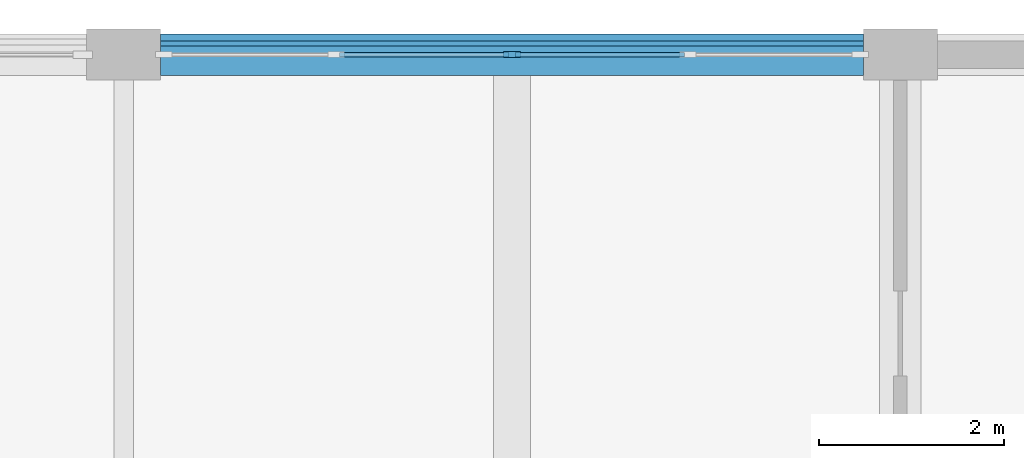
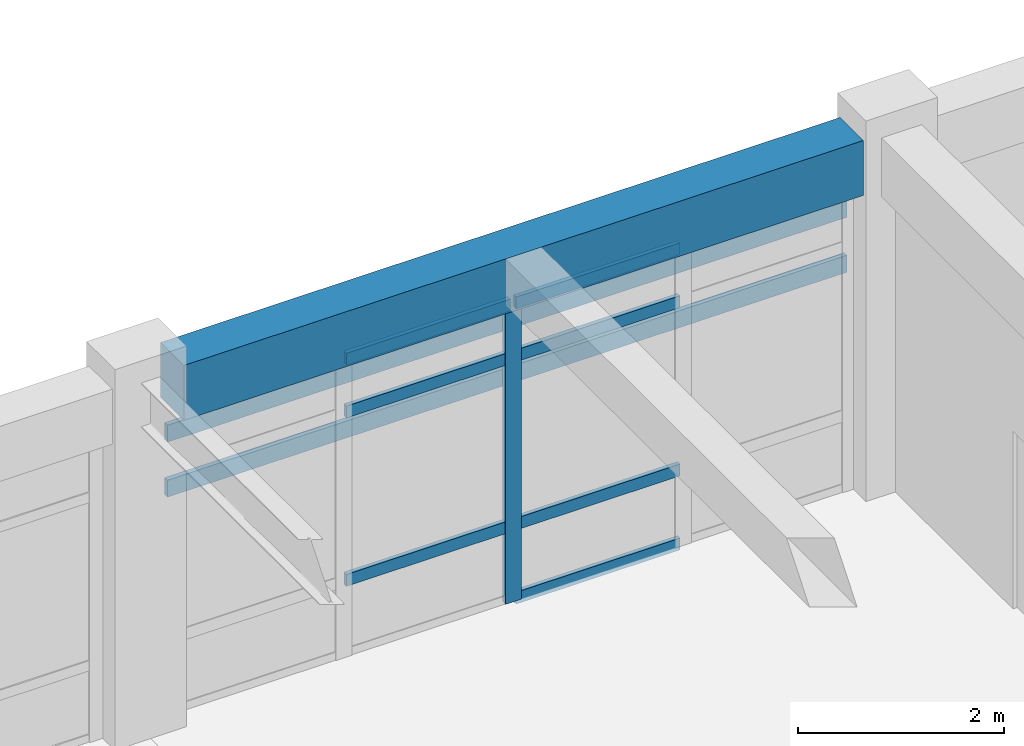
# One storey, part 19 of 78: 10 members, 1 beam, 1 element without a shape of its own.
"""IFC4 building model written with IfcOpenShell, lengths in metres."""

from ifc_helpers import new_model, si_unit, direction, frame, origin, origin_2d, place, context, subcontext, project, spatial, rectangle, extrude, material, layer, layer_set, material_profile, profile_set, type_object, element, aggregate, save


model = new_model("IFC4")

# Units and contexts
model_context = context("Model", 3, precision=1e-05, world=origin(), true_north=direction((0.0, 1.0)))
body_context = subcontext(model_context, "Body", "Model", "MODEL_VIEW")
ifc_project = project(units=[si_unit("LENGTHUNIT", "METRE"), si_unit("AREAUNIT", "SQUARE_METRE"), si_unit("VOLUMEUNIT", "CUBIC_METRE"), si_unit("PLANEANGLEUNIT", "RADIAN"), si_unit("MASSUNIT", "GRAM", prefix="KILO")], contexts=[model_context])

# Site, building, storey
site_placement = place(None, origin())
site = spatial("IfcSite", under=ifc_project, at=site_placement, CompositionType="ELEMENT")
building_placement = place(site_placement, origin())
building = spatial("IfcBuilding", under=site, at=building_placement, Name="Porcellanite Civic Hall", CompositionType="ELEMENT")
storey_placement = place(building_placement, frame((0.0, 0.0, 10.260009765625)))
storey = spatial("IfcBuildingStorey", under=building, at=storey_placement, Name="L02", CompositionType="ELEMENT", Elevation=10.260009765625)

# Beam
ifc_material_1 = material(Name="Concrete N50 (50 MPa)", Category="concrete")
ifc_material_profile_1 = material_profile(ifc_material_1, rectangle(XDim=0.449951171875, YDim=0.64990234375, at=origin_2d()), Name="RC-450x650")
ifc_profile_set_1 = profile_set([ifc_material_profile_1], Name="Concrete N50 (50 MPa)")
beam_type = type_object("IfcBeamType", Name="BM-RC650", PredefinedType="SPANDREL", material=ifc_profile_set_1)
beam_placement = place(storey_placement, frame((59.199462890625, 117.60009765625, 3.9150390625), z_axis=(1.0, 0.0, 0.0), x_axis=(0.0, 1.0, 0.0)))
element("IfcBeam", 1, at=beam_placement, inside=storey, type_object=beam_type, Name="Beam X L02 8-15", PredefinedType="SPANDREL", context=body_context, shape_type="SweptSolid", body=[
    extrude(rectangle(XDim=0.449951171875, YDim=0.64990234375, at=origin_2d()), origin(), (0.0, 0.0, 1.0), 7.60107421875),
])

# Curtain wall, members
ifc_material_2 = material(Name="Anodised aluminium and solar laminated glass", Category="aluminium")
ifc_layer = layer(ifc_material_2, 0.179931640625)
ifc_layer_set = layer_set([ifc_layer], Name="Anodised aluminium and solar laminated glass")
curtain_wall_type = type_object("IfcCurtainWallType", Name="CW-SYS06", PredefinedType="NOTDEFINED", material=ifc_layer_set)
curtain_wall_placement = place(storey_placement, origin())
curtain_wall = element("IfcCurtainWall", 2, at=curtain_wall_placement, inside=storey, type_object=curtain_wall_type, Name="Curtain wall CW-152", PredefinedType="NOTDEFINED")
ifc_material_3 = material(Name="Anodised aluminium 6063-T6", Category="aluminium")
ifc_material_profile_2 = material_profile(ifc_material_3, rectangle(XDim=0.06494140625, YDim=0.179931640625, at=origin_2d()), Name="AL-65x180")
ifc_profile_set_2 = profile_set([ifc_material_profile_2], Name="Anodised aluminium 6063-T6")
member_type_1 = type_object("IfcMemberType", Name="CWM-06", PredefinedType="MULLION", material=ifc_profile_set_2)
member_1_placement = place(storey_placement, frame((63.0, 117.60009765625, 0.0), z_axis=(0.0, 0.0, 1.0), x_axis=(0.0, 1.0, 0.0)))
member_1 = element("IfcMember", 3, at=member_1_placement, type_object=member_type_1, Name="CW-152 mullion 3", PredefinedType="MULLION", context=body_context, shape_type="SweptSolid", body=[
    extrude(rectangle(XDim=0.06494140625, YDim=0.179931640625, at=origin_2d()), origin(), (0.0, 0.0, 1.0), 3.5400390625),
])
ifc_material_4 = material(Name="Anodised aluminium 6063-T6", Category="aluminium")
ifc_material_profile_3 = material_profile(ifc_material_4, rectangle(XDim=0.050048828125, YDim=0.139892578125, at=origin_2d()), Name="AL-50x140")
ifc_profile_set_3 = profile_set([ifc_material_profile_3], Name="Anodised aluminium 6063-T6")
member_type_2 = type_object("IfcMemberType", Name="CWT-06", PredefinedType="USERDEFINED", material=ifc_profile_set_3)
member_2_placement = place(storey_placement, frame((61.133056640625, 117.60009765625, 0.89990234375), z_axis=(1.0, 0.0, 0.0), x_axis=(0.0, 1.0, 0.0)))
member_2 = element("IfcMember", 4, at=member_2_placement, type_object=member_type_2, Name="CW-152 transom 2.2", ObjectType="TRANSOM", PredefinedType="USERDEFINED", context=body_context, shape_type="SweptSolid", body=[
    extrude(rectangle(XDim=0.050048828125, YDim=0.139892578125, at=origin_2d()), origin(), (0.0, 0.0, 1.0), 1.83447265625),
])
member_3_placement = place(storey_placement, frame((61.133056640625, 117.60009765625, 2.889892578125), z_axis=(1.0, 0.0, 0.0), x_axis=(0.0, 1.0, 0.0)))
member_3 = element("IfcMember", 5, at=member_3_placement, type_object=member_type_2, Name="CW-152 transom 2.3", ObjectType="TRANSOM", PredefinedType="USERDEFINED", context=body_context, shape_type="SweptSolid", body=[
    extrude(rectangle(XDim=0.050048828125, YDim=0.139892578125, at=origin_2d()), origin(), (0.0, 0.0, 1.0), 1.83447265625),
])
member_4_placement = place(storey_placement, frame((61.133056640625, 117.60009765625, 3.514892578125), z_axis=(1.0, 0.0, 0.0), x_axis=(0.0, 1.0, 0.0)))
member_4 = element("IfcMember", 6, at=member_4_placement, type_object=member_type_2, Name="CW-152 transom 2.4", ObjectType="TRANSOM", PredefinedType="USERDEFINED", context=body_context, shape_type="SweptSolid", body=[
    extrude(rectangle(XDim=0.050048828125, YDim=0.139892578125, at=origin_2d()), origin(), (0.0, 0.0, 1.0), 1.83447265625),
])
member_5_placement = place(storey_placement, frame((63.032470703125, 117.60009765625, 0.02490234375), z_axis=(1.0, 0.0, 0.0), x_axis=(0.0, 1.0, 0.0)))
member_5 = element("IfcMember", 7, at=member_5_placement, type_object=member_type_2, Name="CW-152 transom 3.1", ObjectType="TRANSOM", PredefinedType="USERDEFINED", context=body_context, shape_type="SweptSolid", body=[
    extrude(rectangle(XDim=0.050048828125, YDim=0.139892578125, at=origin_2d()), origin(), (0.0, 0.0, 1.0), 1.83447265625),
])
member_6_placement = place(storey_placement, frame((63.032470703125, 117.60009765625, 0.89990234375), z_axis=(1.0, 0.0, 0.0), x_axis=(0.0, 1.0, 0.0)))
member_6 = element("IfcMember", 8, at=member_6_placement, type_object=member_type_2, Name="CW-152 transom 3.2", ObjectType="TRANSOM", PredefinedType="USERDEFINED", context=body_context, shape_type="SweptSolid", body=[
    extrude(rectangle(XDim=0.050048828125, YDim=0.139892578125, at=origin_2d()), origin(), (0.0, 0.0, 1.0), 1.83447265625),
])
member_7_placement = place(storey_placement, frame((63.032470703125, 117.60009765625, 2.889892578125), z_axis=(1.0, 0.0, 0.0), x_axis=(0.0, 1.0, 0.0)))
member_7 = element("IfcMember", 9, at=member_7_placement, type_object=member_type_2, Name="CW-152 transom 3.3", ObjectType="TRANSOM", PredefinedType="USERDEFINED", context=body_context, shape_type="SweptSolid", body=[
    extrude(rectangle(XDim=0.050048828125, YDim=0.139892578125, at=origin_2d()), origin(), (0.0, 0.0, 1.0), 1.83447265625),
])
member_8_placement = place(storey_placement, frame((63.032470703125, 117.60009765625, 3.514892578125), z_axis=(1.0, 0.0, 0.0), x_axis=(0.0, 1.0, 0.0)))
member_8 = element("IfcMember", 10, at=member_8_placement, type_object=member_type_2, Name="CW-152 transom 3.4", ObjectType="TRANSOM", PredefinedType="USERDEFINED", context=body_context, shape_type="SweptSolid", body=[
    extrude(rectangle(XDim=0.050048828125, YDim=0.139892578125, at=origin_2d()), origin(), (0.0, 0.0, 1.0), 1.83447265625),
])
aggregate(curtain_wall, [member_1, member_2, member_3, member_4, member_5, member_6, member_7, member_8])

# Members
ifc_material_5 = material(Name="Fluoropolymer bauxite-red aluminium 6063-T6", Category="aluminium")
ifc_material_profile_4 = material_profile(ifc_material_5, rectangle(XDim=0.054931640625, YDim=0.199951171875, at=origin_2d()), Name="AL-55x200")
ifc_profile_set_4 = profile_set([ifc_material_profile_4], Name="Fluoropolymer bauxite-red aluminium 6063-T6")
member_type_3 = type_object("IfcMemberType", Name="LV-BLD09", PredefinedType="USERDEFINED", material=ifc_profile_set_4)
for number, where, z_axis, x_axis, name in (
    (11, (59.199462890625, 117.719482421875, 3.239990234375), (1.0, 0.0, 0.0), (0.0, 1.0, 0.0), "Cyclone sunshade louvre L02 N 7-13 1"),
    (12, (59.199462890625, 117.719482421875, 2.590087890625), (1.0, 0.0, 0.0), (0.0, 1.0, 0.0), "Cyclone sunshade louvre L02 N 7-13 2"),
):
    element("IfcMember", number, at=place(storey_placement, frame(where, z_axis=z_axis, x_axis=x_axis)), inside=storey, type_object=member_type_3, Name=name, ObjectType="LOUVRE BLADE", PredefinedType="USERDEFINED", context=body_context, shape_type="SweptSolid", body=[
        extrude(rectangle(XDim=0.054931640625, YDim=0.199951171875, at=origin_2d()), origin(), (0.0, 0.0, 1.0), 7.60107421875),
    ])

save(model, "model.ifc")
